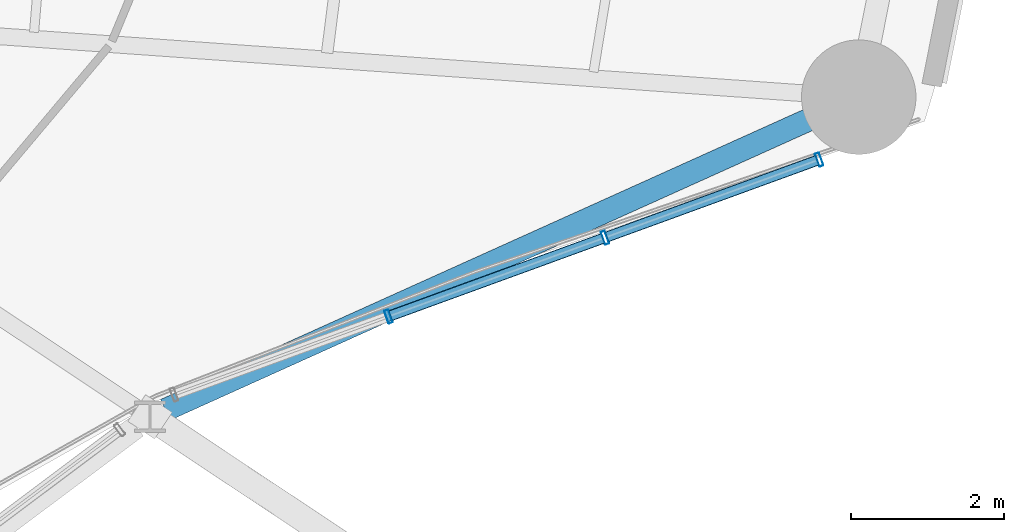
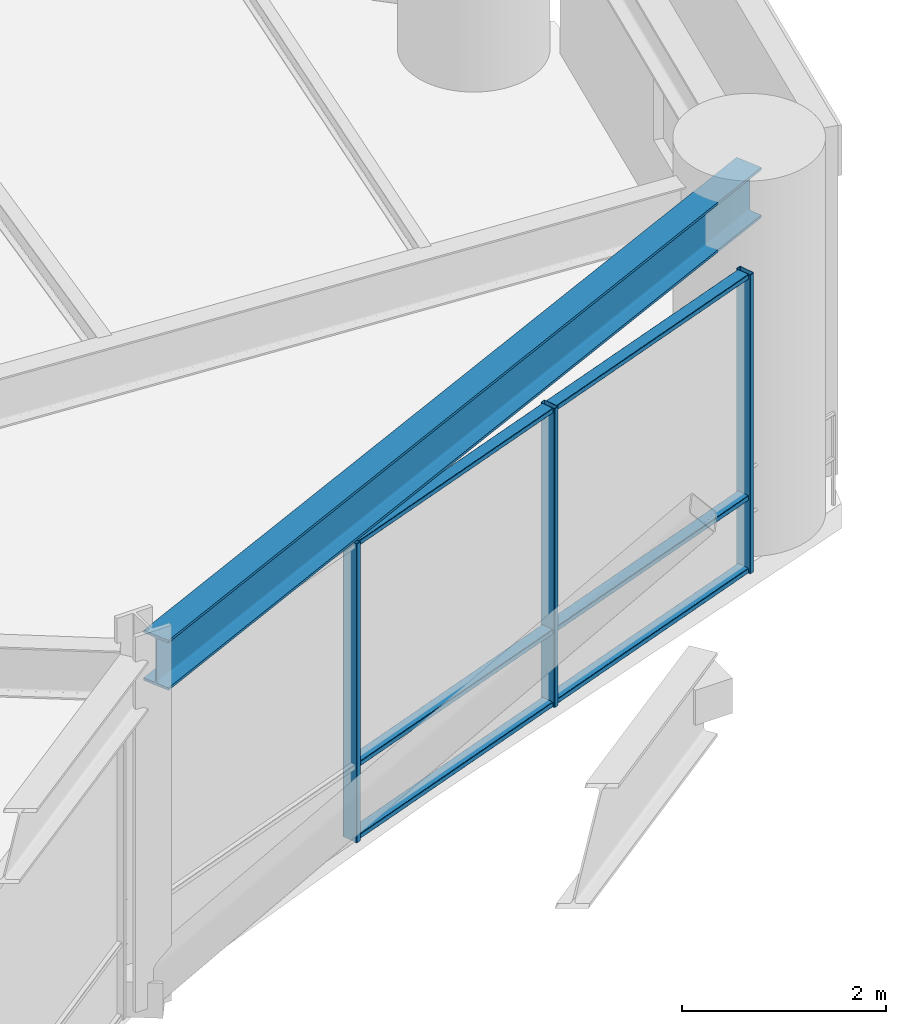
# One storey, part 24 of 55: 9 members, 1 beam, 1 element without a shape of its own.
"""IFC4 building model written with IfcOpenShell, lengths in metres."""

from ifc_helpers import new_model, si_unit, direction, frame, origin, origin_2d, place, context, subcontext, project, spatial, hollow_rectangle, i_section, extrude, material, layer, layer_set, material_profile, profile_set, type_object, element, aggregate, save


model = new_model("IFC4")

# Units and contexts
model_context = context("Model", 3, precision=1e-05, world=origin(), true_north=direction((0.0, 1.0)))
body_context = subcontext(model_context, "Body", "Model", "MODEL_VIEW")
ifc_project = project(units=[si_unit("LENGTHUNIT", "METRE"), si_unit("AREAUNIT", "SQUARE_METRE"), si_unit("VOLUMEUNIT", "CUBIC_METRE"), si_unit("PLANEANGLEUNIT", "RADIAN"), si_unit("MASSUNIT", "GRAM", prefix="KILO")], contexts=[model_context])

# Site, building, storey
site_placement = place(None, origin())
site = spatial("IfcSite", under=ifc_project, at=site_placement, CompositionType="ELEMENT")
building_placement = place(site_placement, origin())
building = spatial("IfcBuilding", under=site, at=building_placement, Name="Kelanora Arch Commons", CompositionType="ELEMENT")
storey_placement = place(building_placement, frame((0.0, 0.0, 4.5)))
storey = spatial("IfcBuildingStorey", under=building, at=storey_placement, Name="L01", CompositionType="ELEMENT", Elevation=4.5)

# Beam
ifc_material_1 = material(Name="Steel S355", Category="steel")
ifc_material_profile_1 = material_profile(ifc_material_1, i_section(OverallWidth=0.300048828125, OverallDepth=0.60009765625, WebThickness=0.015380859375, FlangeThickness=0.030029296875, FilletRadius=0.027099609375, at=origin_2d()), Name="HEB600")
ifc_profile_set_1 = profile_set([ifc_material_profile_1], Name="Steel S355")
beam_type = type_object("IfcBeamType", Name="BM-SPN-Z1", PredefinedType="SPANDREL", material=ifc_profile_set_1)
beam_placement = place(storey_placement, frame((90.35693359375, 45.664306640625, 3.89990234375), z_axis=(0.911571644147, 0.411141262326, 0.0), x_axis=(-0.411141262326, 0.911571644147, 0.0)))
element("IfcBeam", 1, at=beam_placement, inside=storey, type_object=beam_type, Name="Perimeter Spandrel Beam BS-32 L01", PredefinedType="SPANDREL", context=body_context, shape_type="SweptSolid", body=[
    extrude(i_section(OverallWidth=0.300048828125, OverallDepth=0.60009765625, WebThickness=0.015380859375, FlangeThickness=0.030029296875, FilletRadius=0.027099609375, at=origin_2d()), origin(), (0.0, 0.0, 1.0), 9.971923828125),
])

# Curtain wall, members
ifc_material_2 = material(Name="Terracotta ceramic-fritted low-E glass and aluminium", Category="masonry")
ifc_layer = layer(ifc_material_2, 0.2099609375)
ifc_layer_set = layer_set([ifc_layer], Name="Terracotta ceramic-fritted low-E glass and aluminium")
curtain_wall_type = type_object("IfcCurtainWallType", Name="CW-SYS-04", PredefinedType="NOTDEFINED", material=ifc_layer_set)
curtain_wall_placement = place(storey_placement, origin())
curtain_wall = element("IfcCurtainWall", 2, at=curtain_wall_placement, inside=storey, type_object=curtain_wall_type, Name="Unitised Curtain Wall L01-B16", PredefinedType="NOTDEFINED")
ifc_material_3 = material(Name="Powder-coated aluminium terracotta", Category="masonry")
ifc_material_profile_2 = material_profile(ifc_material_3, hollow_rectangle(XDim=0.179931640625, YDim=0.06005859375, WallThickness=0.0048828125, InnerFilletRadius=0.0048828125, OuterFilletRadius=0.010009765625, at=origin_2d()), Name="CWM180x60")
ifc_profile_set_2 = profile_set([ifc_material_profile_2], Name="Powder-coated aluminium terracotta")
member_type_1 = type_object("IfcMemberType", Name="CWM-HVY", PredefinedType="MULLION", material=ifc_profile_set_2)
member_1_placement = place(storey_placement, frame((93.282470703125, 46.888671875, 0.0), z_axis=(0.0, 0.0, 1.0), x_axis=(-0.342318215206, 0.939584077951, 0.0)))
member_1 = element("IfcMember", 3, at=member_1_placement, type_object=member_type_1, Name="CW-04 mullion 2", PredefinedType="MULLION", context=body_context, shape_type="SweptSolid", body=[
    extrude(hollow_rectangle(XDim=0.179931640625, YDim=0.06005859375, WallThickness=0.0048828125, InnerFilletRadius=0.0048828125, OuterFilletRadius=0.010009765625, at=origin_2d()), origin(), (0.0, 0.0, 1.0), 3.580078125),
])
member_2_placement = place(storey_placement, frame((96.119873046875, 47.92236328125, 0.0), z_axis=(0.0, 0.0, 1.0), x_axis=(-0.342318215206, 0.939584077951, 0.0)))
member_2 = element("IfcMember", 4, at=member_2_placement, type_object=member_type_1, Name="CW-04 mullion 3", PredefinedType="MULLION", context=body_context, shape_type="SweptSolid", body=[
    extrude(hollow_rectangle(XDim=0.179931640625, YDim=0.06005859375, WallThickness=0.0048828125, InnerFilletRadius=0.0048828125, OuterFilletRadius=0.010009765625, at=origin_2d()), origin(), (0.0, 0.0, 1.0), 3.580078125),
])
member_3_placement = place(storey_placement, frame((98.928955078125, 48.94580078125, 0.0), z_axis=(0.0, 0.0, 1.0), x_axis=(-0.342318215206, 0.939584077951, 0.0)))
member_3 = element("IfcMember", 5, at=member_3_placement, type_object=member_type_1, Name="CW-04 mullion 4", PredefinedType="MULLION", context=body_context, shape_type="SweptSolid", body=[
    extrude(hollow_rectangle(XDim=0.179931640625, YDim=0.06005859375, WallThickness=0.0048828125, InnerFilletRadius=0.0048828125, OuterFilletRadius=0.010009765625, at=origin_2d()), origin(), (0.0, 0.0, 1.0), 3.580078125),
])
ifc_material_profile_3 = material_profile(ifc_material_3, hollow_rectangle(XDim=0.139892578125, YDim=0.06005859375, WallThickness=0.0048828125, InnerFilletRadius=0.0048828125, OuterFilletRadius=0.010009765625, at=origin_2d()), Name="CWT140x60")
ifc_profile_set_3 = profile_set([ifc_material_profile_3], Name="Powder-coated aluminium terracotta")
member_type_2 = type_object("IfcMemberType", Name="CWT-HVY", PredefinedType="USERDEFINED", material=ifc_profile_set_3)
member_4_placement = place(storey_placement, frame((93.310791015625, 46.89892578125, 0.030029296875), z_axis=(0.939576468846, 0.342339099711, 0.0), x_axis=(-0.342339099711, 0.939576468846, 0.0)))
member_4 = element("IfcMember", 6, at=member_4_placement, type_object=member_type_2, Name="CW-04 transom 2.1", ObjectType="TRANSOM", PredefinedType="USERDEFINED", context=body_context, shape_type="SweptSolid", body=[
    extrude(hollow_rectangle(XDim=0.139892578125, YDim=0.06005859375, WallThickness=0.0048828125, InnerFilletRadius=0.0048828125, OuterFilletRadius=0.010009765625, at=origin_2d()), origin(), (0.0, 0.0, 1.0), 2.95947265625),
])
member_5_placement = place(storey_placement, frame((93.310791015625, 46.89892578125, 0.89990234375), z_axis=(0.939576468846, 0.342339099711, 0.0), x_axis=(-0.342339099711, 0.939576468846, 0.0)))
member_5 = element("IfcMember", 7, at=member_5_placement, type_object=member_type_2, Name="CW-04 transom 2.2", ObjectType="TRANSOM", PredefinedType="USERDEFINED", context=body_context, shape_type="SweptSolid", body=[
    extrude(hollow_rectangle(XDim=0.139892578125, YDim=0.06005859375, WallThickness=0.0048828125, InnerFilletRadius=0.0048828125, OuterFilletRadius=0.010009765625, at=origin_2d()), origin(), (0.0, 0.0, 1.0), 2.95947265625),
])
member_6_placement = place(storey_placement, frame((93.310791015625, 46.89892578125, 3.550048828125), z_axis=(0.939576468846, 0.342339099711, 0.0), x_axis=(-0.342339099711, 0.939576468846, 0.0)))
member_6 = element("IfcMember", 8, at=member_6_placement, type_object=member_type_2, Name="CW-04 transom 2.3", ObjectType="TRANSOM", PredefinedType="USERDEFINED", context=body_context, shape_type="SweptSolid", body=[
    extrude(hollow_rectangle(XDim=0.139892578125, YDim=0.06005859375, WallThickness=0.0048828125, InnerFilletRadius=0.0048828125, OuterFilletRadius=0.010009765625, at=origin_2d()), origin(), (0.0, 0.0, 1.0), 2.95947265625),
])
member_7_placement = place(storey_placement, frame((96.14794921875, 47.9326171875, 0.030029296875), z_axis=(0.939579128074, 0.342331801164, 0.0), x_axis=(-0.342331801164, 0.939579128074, 0.0)))
member_7 = element("IfcMember", 9, at=member_7_placement, type_object=member_type_2, Name="CW-04 transom 3.1", ObjectType="TRANSOM", PredefinedType="USERDEFINED", context=body_context, shape_type="SweptSolid", body=[
    extrude(hollow_rectangle(XDim=0.139892578125, YDim=0.06005859375, WallThickness=0.0048828125, InnerFilletRadius=0.0048828125, OuterFilletRadius=0.010009765625, at=origin_2d()), origin(), (0.0, 0.0, 1.0), 2.9296875),
])
member_8_placement = place(storey_placement, frame((96.14794921875, 47.9326171875, 0.89990234375), z_axis=(0.939579128074, 0.342331801164, 0.0), x_axis=(-0.342331801164, 0.939579128074, 0.0)))
member_8 = element("IfcMember", 10, at=member_8_placement, type_object=member_type_2, Name="CW-04 transom 3.2", ObjectType="TRANSOM", PredefinedType="USERDEFINED", context=body_context, shape_type="SweptSolid", body=[
    extrude(hollow_rectangle(XDim=0.139892578125, YDim=0.06005859375, WallThickness=0.0048828125, InnerFilletRadius=0.0048828125, OuterFilletRadius=0.010009765625, at=origin_2d()), origin(), (0.0, 0.0, 1.0), 2.9296875),
])
member_9_placement = place(storey_placement, frame((96.14794921875, 47.9326171875, 3.550048828125), z_axis=(0.939579128074, 0.342331801164, 0.0), x_axis=(-0.342331801164, 0.939579128074, 0.0)))
member_9 = element("IfcMember", 11, at=member_9_placement, type_object=member_type_2, Name="CW-04 transom 3.3", ObjectType="TRANSOM", PredefinedType="USERDEFINED", context=body_context, shape_type="SweptSolid", body=[
    extrude(hollow_rectangle(XDim=0.139892578125, YDim=0.06005859375, WallThickness=0.0048828125, InnerFilletRadius=0.0048828125, OuterFilletRadius=0.010009765625, at=origin_2d()), origin(), (0.0, 0.0, 1.0), 2.9296875),
])
aggregate(curtain_wall, [member_1, member_2, member_3, member_4, member_5, member_6, member_7, member_8, member_9])

save(model, "model.ifc")
